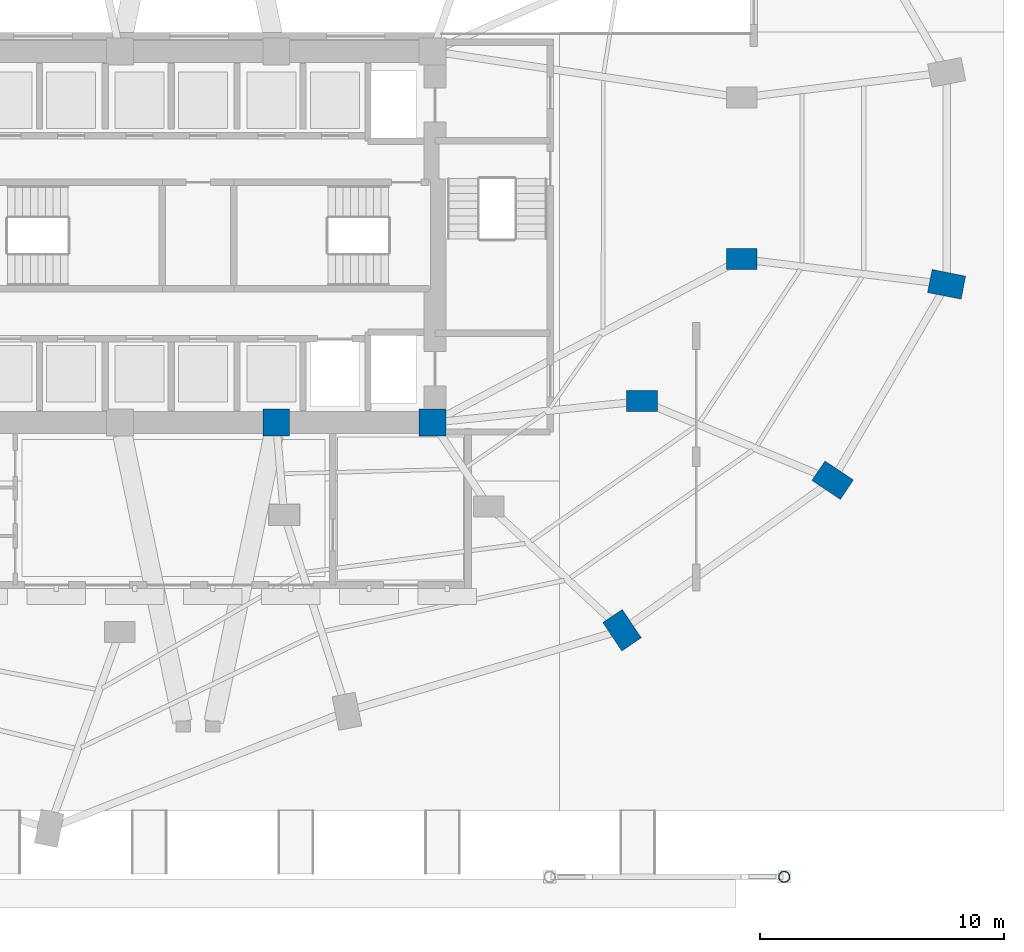
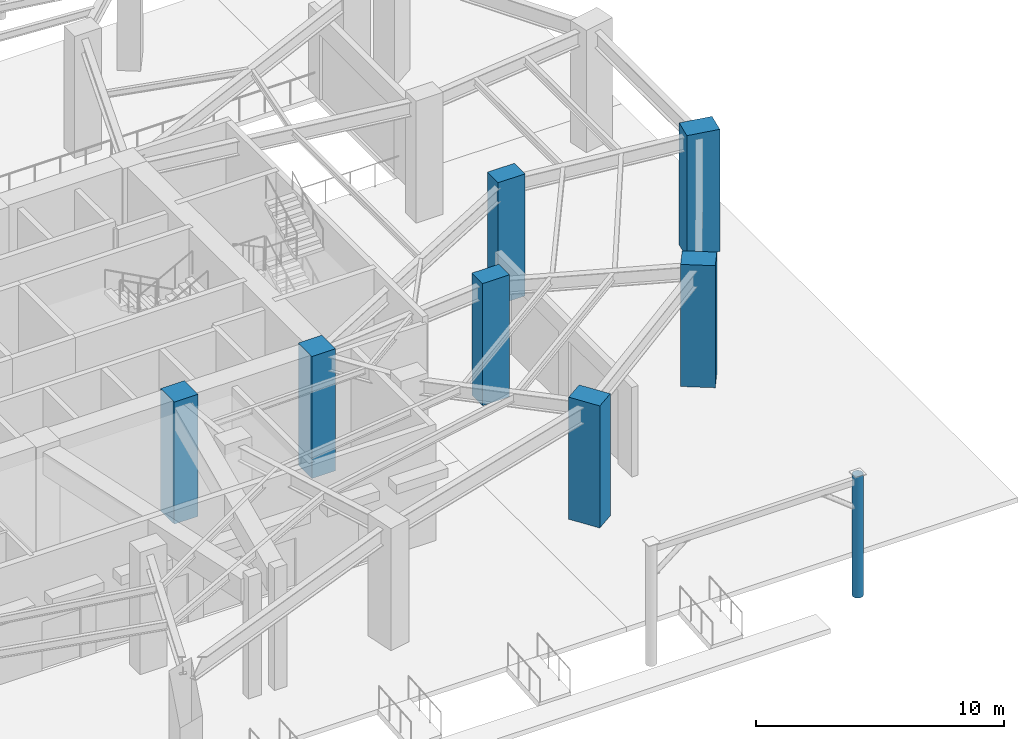
# One storey, part 2 of 14: 8 columns.
"""IFC4 building model written with IfcOpenShell, lengths in metres."""

from ifc_helpers import new_model, si_unit, direction, frame, origin, origin_2d, place, context, subcontext, project, spatial, rectangle, hollow_circle, extrude, material, material_profile, profile_set, type_object, element, save


model = new_model("IFC4")

# Units and contexts
model_context = context("Model", 3, precision=1e-05, world=origin(), true_north=direction((0.0, 1.0)))
body_context = subcontext(model_context, "Body", "Model", "MODEL_VIEW")
ifc_project = project(units=[si_unit("LENGTHUNIT", "METRE"), si_unit("AREAUNIT", "SQUARE_METRE"), si_unit("VOLUMEUNIT", "CUBIC_METRE"), si_unit("PLANEANGLEUNIT", "RADIAN"), si_unit("MASSUNIT", "GRAM", prefix="KILO")], contexts=[model_context])

# Site, building, storey
site_placement = place(None, origin())
site = spatial("IfcSite", under=ifc_project, at=site_placement, CompositionType="ELEMENT")
building_placement = place(site_placement, origin())
building = spatial("IfcBuilding", under=site, at=building_placement, Name="Lazwardi Medical Tower", CompositionType="ELEMENT")
storey_placement = place(building_placement, origin())
storey = spatial("IfcBuildingStorey", under=building, at=storey_placement, Name="L00", CompositionType="ELEMENT", Elevation=0.0)

# Columns
ifc_material_1 = material(Name="Concrete C80/95", Category="concrete")
ifc_material_profile_1 = material_profile(ifc_material_1, rectangle(XDim=1.10009765625, YDim=1.10009765625, at=origin_2d()), Name="RC 1100x1100")
ifc_profile_set_1 = profile_set([ifc_material_profile_1], Name="Concrete C80/95")
column_type_1 = type_object("IfcColumnType", Name="COL-CC-L", PredefinedType="COLUMN", material=ifc_profile_set_1)
for number, where, z_axis, x_axis, name in (
    (1, (39.199951171875, 20.39990234375, 0.0), (0.0, 0.0, 1.0), (1.0, 0.0, 0.0), "Core column CC-01 CC3 L00"),
    (2, (45.60009765625, 20.39990234375, 0.0), (0.0, 0.0, 1.0), (1.0, 0.0, 0.0), "Core column CC-01 CC4 L00"),
):
    element("IfcColumn", number, at=place(storey_placement, frame(where, z_axis=z_axis, x_axis=x_axis)), inside=storey, type_object=column_type_1, Name=name, PredefinedType="COLUMN", context=body_context, shape_type="SweptSolid", body=[
        extrude(rectangle(XDim=1.10009765625, YDim=1.10009765625, at=origin_2d()), origin(), (0.0, 0.0, 1.0), 6.0),
    ])
ifc_material_2 = material(Name="Steel S355", Category="steel")
ifc_material_profile_2 = material_profile(ifc_material_2, hollow_circle(Radius=0.228515625, WallThickness=0.02001953125, at=origin_2d()), Name="CHS 457x20")
ifc_profile_set_2 = profile_set([ifc_material_profile_2], Name="Steel S355")
column_type_2 = type_object("IfcColumnType", Name="COL-CN-01", PredefinedType="COLUMN", material=ifc_profile_set_2)
column_placement = place(storey_placement, frame((60.0, 1.800048828125, 0.0), z_axis=(0.0, 0.0, 1.0), x_axis=(1.0, 0.0, 0.0)))
element("IfcColumn", 3, at=column_placement, inside=storey, type_object=column_type_2, Name="Entrance canopy column CN-C1 CN4", PredefinedType="COLUMN", context=body_context, shape_type="SweptSolid", body=[
    extrude(hollow_circle(Radius=0.228515625, WallThickness=0.02001953125, at=origin_2d()), origin(), (0.0, 0.0, 1.0), 5.968017578125),
])
ifc_material_profile_3 = material_profile(ifc_material_1, rectangle(XDim=1.39990234375, YDim=0.9599609375, at=origin_2d()), Name="CFT-RECT 1400x960")
ifc_profile_set_3 = profile_set([ifc_material_profile_3], Name="Concrete C80/95")
column_type_3 = type_object("IfcColumnType", Name="COL-MC-B1", PredefinedType="COLUMN", material=ifc_profile_set_3)
for number, where, z_axis, x_axis, name in (
    (4, (53.361572265625, 11.89990234375, 0.0), (0.0, 0.0, 1.0), (0.55557023302, -0.831469612303, 0.0), "Mega column MC-01 M02 L00"),
    (5, (61.9833984375, 18.03857421875, 0.0), (0.0, 0.0, 1.0), (0.831469612303, -0.55557023302, 0.0), "Mega column MC-01 M03 L00"),
    (6, (66.6494140625, 26.05908203125, 0.0), (0.0, 0.0, 1.0), (0.980785280403, -0.195090322016, 0.0), "Mega column MC-01 M04 L00"),
):
    element("IfcColumn", number, at=place(storey_placement, frame(where, z_axis=z_axis, x_axis=x_axis)), inside=storey, type_object=column_type_3, Name=name, PredefinedType="COLUMN", context=body_context, shape_type="SweptSolid", body=[
        extrude(rectangle(XDim=1.39990234375, YDim=0.9599609375, at=origin_2d()), origin(), (0.0, 0.0, 1.0), 6.0),
    ])
ifc_material_3 = material(Name="Concrete C70/85", Category="concrete")
ifc_material_profile_4 = material_profile(ifc_material_3, rectangle(XDim=1.25, YDim=0.860107421875, at=origin_2d()), Name="CFT-RECT 1250x860")
ifc_profile_set_4 = profile_set([ifc_material_profile_4], Name="Concrete C70/85")
column_type_4 = type_object("IfcColumnType", Name="COL-MC-Z1", PredefinedType="COLUMN", material=ifc_profile_set_4)
for number, where, z_axis, x_axis, name in (
    (7, (54.177001953125, 21.27587890625, 0.0), (0.0, 0.0, 1.0), (1.0, 0.0, 0.0), "Mega column MC-03 PM03 L00"),
    (8, (58.262939453125, 27.093994140625, 0.0), (0.0, 0.0, 1.0), (1.0, 0.0, 0.0), "Mega column MC-03 PM04 L00"),
):
    element("IfcColumn", number, at=place(storey_placement, frame(where, z_axis=z_axis, x_axis=x_axis)), inside=storey, type_object=column_type_4, Name=name, PredefinedType="COLUMN", context=body_context, shape_type="SweptSolid", body=[
        extrude(rectangle(XDim=1.25, YDim=0.860107421875, at=origin_2d()), origin(), (0.0, 0.0, 1.0), 6.0),
    ])

save(model, "model.ifc")
